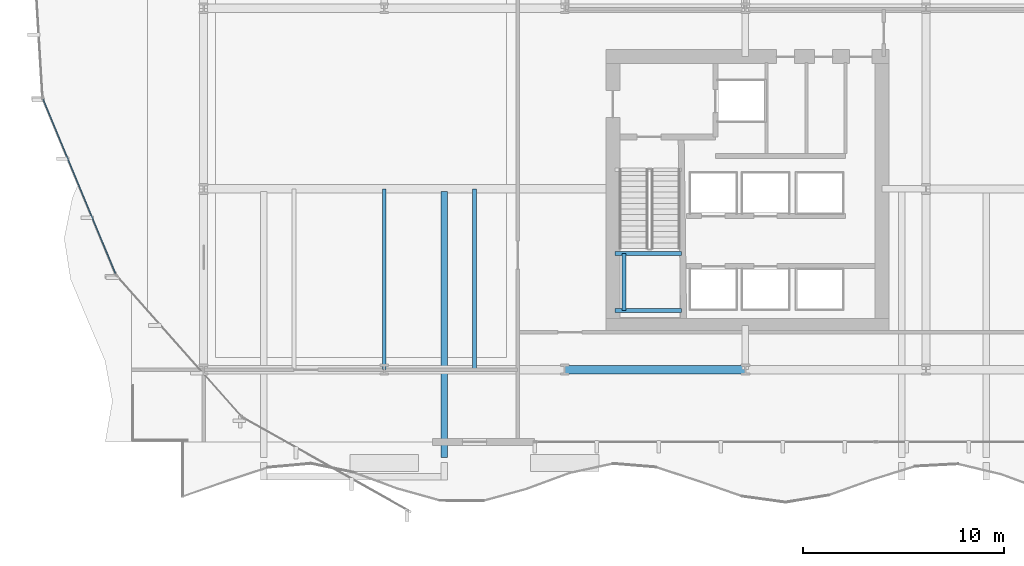
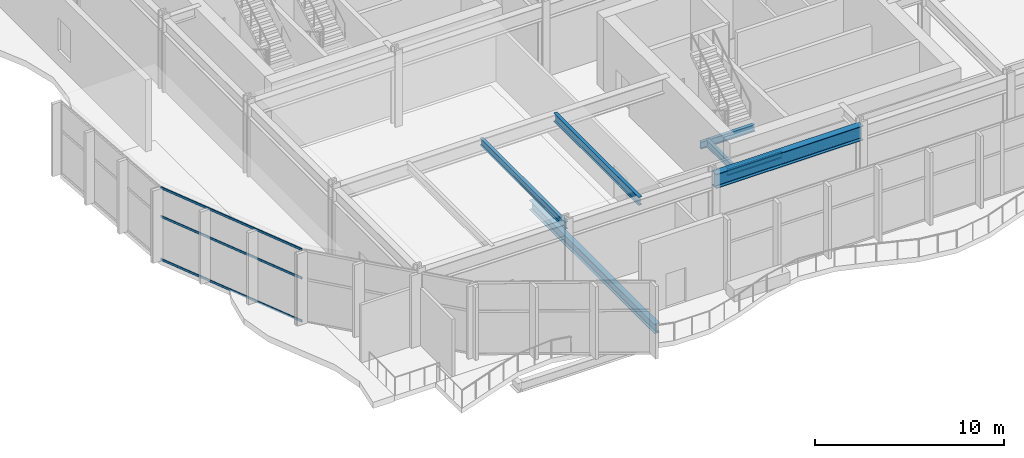
# One storey, part 4 of 28: 7 beams, 3 members, 1 element without a shape of its own.
"""IFC4 building model written with IfcOpenShell, lengths in metres."""

from ifc_helpers import new_model, si_unit, direction, frame, origin, origin_2d, place, context, subcontext, project, spatial, hollow_rectangle, i_section, extrude, material, layer, layer_set, material_profile, profile_set, type_object, element, aggregate, save


model = new_model("IFC4")

# Units and contexts
model_context = context("Model", 3, precision=1e-05, world=origin(), true_north=direction((0.0, 1.0)))
body_context = subcontext(model_context, "Body", "Model", "MODEL_VIEW")
ifc_project = project(units=[si_unit("LENGTHUNIT", "METRE"), si_unit("AREAUNIT", "SQUARE_METRE"), si_unit("VOLUMEUNIT", "CUBIC_METRE"), si_unit("PLANEANGLEUNIT", "RADIAN"), si_unit("MASSUNIT", "GRAM", prefix="KILO")], contexts=[model_context])

# Site, building, storey
site_placement = place(None, origin())
site = spatial("IfcSite", under=ifc_project, at=site_placement, CompositionType="ELEMENT")
building_placement = place(site_placement, origin())
building = spatial("IfcBuilding", under=site, at=building_placement, Name="Solvaryn Broadcast Tower", CompositionType="ELEMENT")
storey_placement = place(building_placement, frame((0.0, 0.0, 16.199951171875)))
storey = spatial("IfcBuildingStorey", under=building, at=storey_placement, Name="L03", CompositionType="ELEMENT", Elevation=16.199951171875)

# Beams
ifc_material_1 = material(Name="Steel ASTM A992 Grade 50", Category="steel")
ifc_material_profile_1 = material_profile(ifc_material_1, i_section(OverallWidth=0.323974609375, OverallDepth=0.611083984375, WebThickness=0.0126953125, FlangeThickness=0.01904296875, FilletRadius=0.014892578125, at=origin_2d()))
ifc_profile_set_1 = profile_set([ifc_material_profile_1], Name="Steel ASTM A992 Grade 50")
beam_type_1 = type_object("IfcBeamType", Name="BM-B1-W24X104", PredefinedType="BEAM", material=ifc_profile_set_1)
beam_1_placement = place(storey_placement, frame((21.0, 17.875, -0.62548828125), z_axis=(0.0, -1.0, 0.0), x_axis=(1.0, 0.0, 0.0)))
element("IfcBeam", 1, at=beam_1_placement, inside=storey, type_object=beam_type_1, Name="L03 Terrace Back-Span Beam X21.0", PredefinedType="BEAM", context=body_context, shape_type="SweptSolid", body=[
    extrude(i_section(OverallWidth=0.323974609375, OverallDepth=0.611083984375, WebThickness=0.0126953125, FlangeThickness=0.01904296875, FilletRadius=0.014892578125, at=origin_2d()), origin(), (0.0, 0.0, 1.0), 13.25),
])
ifc_material_2 = material(Name="Steel ASTM A992 Grade 50", Category="steel")
ifc_material_profile_2 = material_profile(ifc_material_2, i_section(OverallWidth=0.208984375, OverallDepth=0.532958984375, WebThickness=0.01025390625, FlangeThickness=0.015625, FilletRadius=0.013916015625, at=origin_2d()))
ifc_profile_set_2 = profile_set([ifc_material_profile_2], Name="Steel ASTM A992 Grade 50")
beam_type_2 = type_object("IfcBeamType", Name="BM-B3-W21X62", PredefinedType="BEAM", material=ifc_profile_set_2)
beam_2_placement = place(storey_placement, frame((22.5, 9.0, 4.41357421875), z_axis=(0.0, 1.0, 0.0), x_axis=(-1.0, 0.0, 0.0)))
element("IfcBeam", 2, at=beam_2_placement, inside=storey, type_object=beam_type_2, Name="L03 Studio Rigging Beam 3", PredefinedType="BEAM", context=body_context, shape_type="SweptSolid", body=[
    extrude(i_section(OverallWidth=0.208984375, OverallDepth=0.532958984375, WebThickness=0.01025390625, FlangeThickness=0.015625, FilletRadius=0.013916015625, at=origin_2d()), origin(), (0.0, 0.0, 1.0), 9.0),
])
ifc_material_3 = material(Name="Steel ASTM A992 Grade 50", Category="steel")
ifc_material_profile_3 = material_profile(ifc_material_3, i_section(OverallWidth=0.18994140625, OverallDepth=0.45703125, WebThickness=0.009033203125, FlangeThickness=0.014404296875, FilletRadius=0.011962890625, at=origin_2d()))
ifc_profile_set_3 = profile_set([ifc_material_profile_3], Name="Steel ASTM A992 Grade 50")
beam_type_3 = type_object("IfcBeamType", Name="BM-B4-W18X50", PredefinedType="BEAM", material=ifc_profile_set_3)
beam_3_placement = place(storey_placement, frame((18.0, 9.0, 4.41357421875), z_axis=(0.0, 1.0, 0.0), x_axis=(-1.0, 0.0, 0.0)))
element("IfcBeam", 3, at=beam_3_placement, inside=storey, type_object=beam_type_3, Name="L03 Studio Rigging Beam 2", PredefinedType="BEAM", context=body_context, shape_type="SweptSolid", body=[
    extrude(i_section(OverallWidth=0.18994140625, OverallDepth=0.45703125, WebThickness=0.009033203125, FlangeThickness=0.014404296875, FilletRadius=0.011962890625, at=origin_2d()), origin(), (0.0, 0.0, 1.0), 9.0),
])
for number, where, z_axis, x_axis, name in (
    (4, (29.5, 11.949951171875, 2.071533203125), (1.0, 0.0, 0.0), (0.0, 1.0, 0.0), "L03 ST3 Landing Support Beam 1A"),
    (5, (29.5, 14.7900390625, 2.071533203125), (1.0, 0.0, 0.0), (0.0, 1.0, 0.0), "L03 ST3 Landing Support Beam 1B"),
):
    element("IfcBeam", number, at=place(storey_placement, frame(where, z_axis=z_axis, x_axis=x_axis)), inside=storey, type_object=beam_type_3, Name=name, PredefinedType="BEAM", context=body_context, shape_type="SweptSolid", body=[
        extrude(i_section(OverallWidth=0.18994140625, OverallDepth=0.45703125, WebThickness=0.009033203125, FlangeThickness=0.014404296875, FilletRadius=0.011962890625, at=origin_2d()), origin(), (0.0, 0.0, 1.0), 3.320068359375),
    ])
beam_4_placement = place(storey_placement, frame((29.949951171875, 11.949951171875, 2.071533203125), z_axis=(0.0, 1.0, 0.0), x_axis=(-1.0, 0.0, 0.0)))
element("IfcBeam", 6, at=beam_4_placement, inside=storey, type_object=beam_type_3, Name="L03 ST3 Landing Cross Stringer 1C", PredefinedType="BEAM", context=body_context, shape_type="SweptSolid", body=[
    extrude(i_section(OverallWidth=0.18994140625, OverallDepth=0.45703125, WebThickness=0.009033203125, FlangeThickness=0.014404296875, FilletRadius=0.011962890625, at=origin_2d()), origin(), (0.0, 0.0, 1.0), 2.840087890625),
])
ifc_material_4 = material(Name="Steel ASTM A992 Grade 50", Category="steel")
ifc_material_profile_4 = material_profile(ifc_material_4, i_section(OverallWidth=0.41796875, OverallDepth=0.927001953125, WebThickness=0.019287109375, FlangeThickness=0.031982421875, FilletRadius=0.02392578125, at=origin_2d()))
ifc_profile_set_4 = profile_set([ifc_material_profile_4], Name="Steel ASTM A992 Grade 50")
beam_type_4 = type_object("IfcBeamType", Name="BM-G2-W36X231", PredefinedType="BEAM", material=ifc_profile_set_4)
beam_5_placement = place(storey_placement, frame((27.0, 9.0, 4.216552734375), z_axis=(1.0, 0.0, 0.0), x_axis=(0.0, 1.0, 0.0)))
element("IfcBeam", 7, at=beam_5_placement, inside=storey, type_object=beam_type_4, Name="L03 Primary Beam X (27-36 @ Y=9)", PredefinedType="BEAM", context=body_context, shape_type="SweptSolid", body=[
    extrude(i_section(OverallWidth=0.41796875, OverallDepth=0.927001953125, WebThickness=0.019287109375, FlangeThickness=0.031982421875, FilletRadius=0.02392578125, at=origin_2d()), origin(), (0.0, 0.0, 1.0), 9.0),
])

# Curtain wall, members
ifc_material_5 = material(Name="Aluminium and Terracotta Unitised Curtain Wall", Category="masonry")
ifc_layer = layer(ifc_material_5, 0.219970703125)
ifc_layer_set = layer_set([ifc_layer], Name="CW-SYS1-PODIUM")
curtain_wall_type = type_object("IfcCurtainWallType", Name="CW-SYS1-PODIUM", PredefinedType="NOTDEFINED", material=ifc_layer_set)
curtain_wall_placement = place(storey_placement, origin())
curtain_wall = element("IfcCurtainWall", 8, at=curtain_wall_placement, inside=storey, type_object=curtain_wall_type, Name="L03 Podium Curtain Wall DC2", PredefinedType="NOTDEFINED")
ifc_material_6 = material(Name="Anodised Aluminium 6063-T6", Category="aluminium")
ifc_material_profile_5 = material_profile(ifc_material_6, hollow_rectangle(XDim=0.06494140625, YDim=0.14990234375, WallThickness=0.00390625, InnerFilletRadius=0.00390625, OuterFilletRadius=0.008056640625, at=origin_2d()))
ifc_profile_set_5 = profile_set([ifc_material_profile_5], Name="Anodised Aluminium 6063-T6")
member_type = type_object("IfcMemberType", Name="CW-TRN-150", PredefinedType="USERDEFINED", material=ifc_profile_set_5)
member_1_placement = place(storey_placement, frame((1.001953125, 22.468505859375, 0.030029296875), z_axis=(0.383401909887, -0.923581601969, 0.0), x_axis=(0.923581601969, 0.383401909887, 0.0)))
member_1 = element("IfcMember", 9, at=member_1_placement, type_object=member_type, Name="CWS1 transom 1.1", ObjectType="TRANSOM", PredefinedType="USERDEFINED", context=body_context, shape_type="SweptSolid", body=[
    extrude(hollow_rectangle(XDim=0.06494140625, YDim=0.14990234375, WallThickness=0.00390625, InnerFilletRadius=0.00390625, OuterFilletRadius=0.008056640625, at=origin_2d()), origin(), (0.0, 0.0, 1.0), 9.402587890625),
])
member_2_placement = place(storey_placement, frame((1.001953125, 22.468505859375, 2.800048828125), z_axis=(0.383401909887, -0.923581601969, 0.0), x_axis=(0.923581601969, 0.383401909887, 0.0)))
member_2 = element("IfcMember", 10, at=member_2_placement, type_object=member_type, Name="CWS1 transom 1.2", ObjectType="TRANSOM", PredefinedType="USERDEFINED", context=body_context, shape_type="SweptSolid", body=[
    extrude(hollow_rectangle(XDim=0.06494140625, YDim=0.14990234375, WallThickness=0.00390625, InnerFilletRadius=0.00390625, OuterFilletRadius=0.008056640625, at=origin_2d()), origin(), (0.0, 0.0, 1.0), 9.402587890625),
])
member_3_placement = place(storey_placement, frame((1.001953125, 22.468505859375, 4.650146484375), z_axis=(0.383401909887, -0.923581601969, 0.0), x_axis=(0.923581601969, 0.383401909887, 0.0)))
member_3 = element("IfcMember", 11, at=member_3_placement, type_object=member_type, Name="CWS1 transom 1.3", ObjectType="TRANSOM", PredefinedType="USERDEFINED", context=body_context, shape_type="SweptSolid", body=[
    extrude(hollow_rectangle(XDim=0.06494140625, YDim=0.14990234375, WallThickness=0.00390625, InnerFilletRadius=0.00390625, OuterFilletRadius=0.008056640625, at=origin_2d()), origin(), (0.0, 0.0, 1.0), 9.402587890625),
])
aggregate(curtain_wall, [member_1, member_2, member_3])

save(model, "model.ifc")
